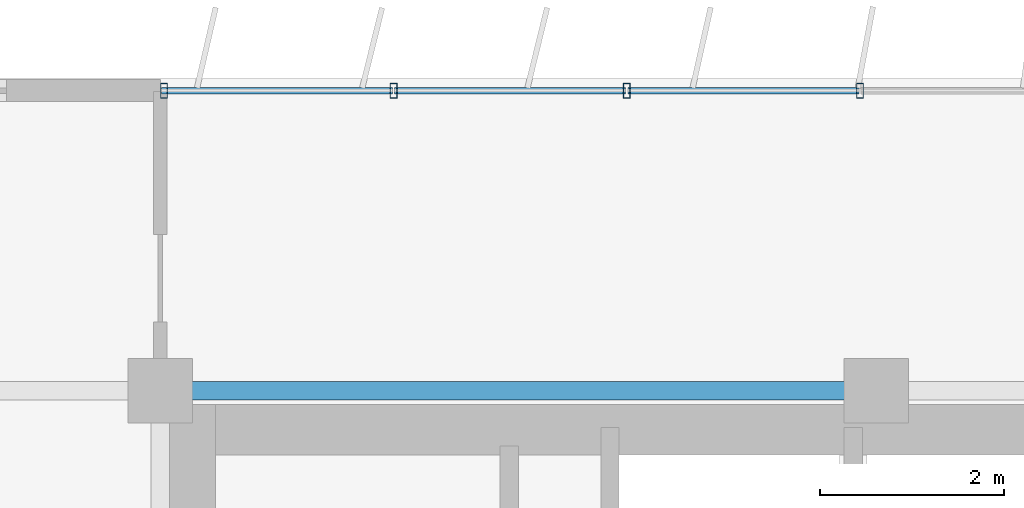
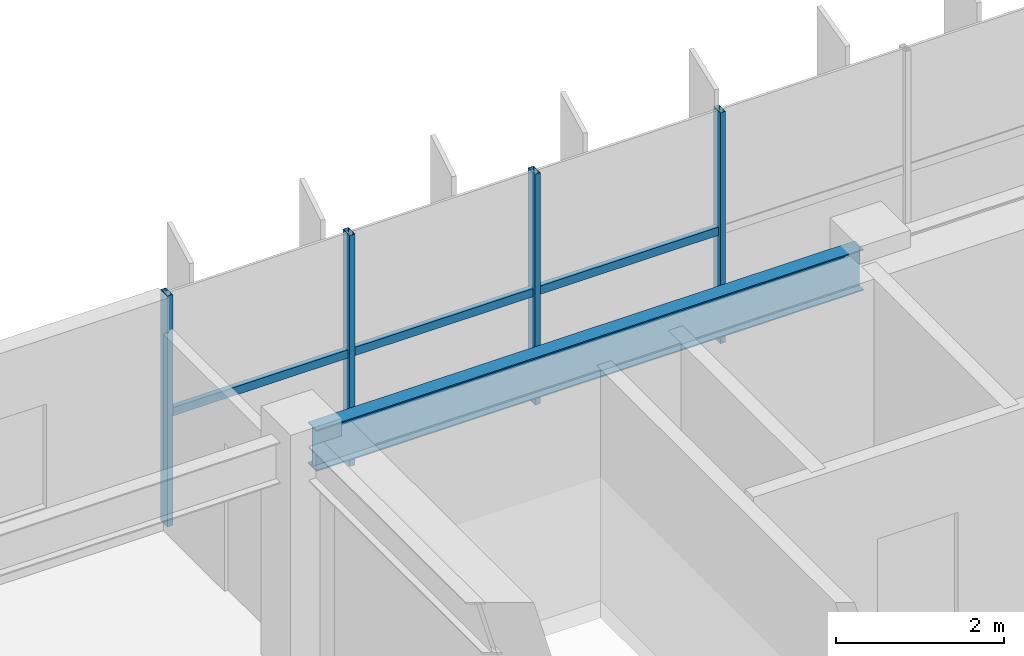
# One storey, part 4 of 20: 7 members, 1 beam, 1 element without a shape of its own.
"""IFC4 building model written with IfcOpenShell, lengths in metres."""

from ifc_helpers import new_model, si_unit, direction, frame, origin, origin_2d, place, context, subcontext, project, spatial, hollow_rectangle, i_section, extrude, source, transform, mapped, material, material_profile, profile_set, type_object, element, aggregate, save


model = new_model("IFC4")

# Units and contexts
model_context = context("Model", 3, precision=1e-05, world=origin(), true_north=direction((0.0, 1.0)))
body_context = subcontext(model_context, "Body", "Model", "MODEL_VIEW")
ifc_project = project(units=[si_unit("LENGTHUNIT", "METRE"), si_unit("AREAUNIT", "SQUARE_METRE"), si_unit("VOLUMEUNIT", "CUBIC_METRE"), si_unit("PLANEANGLEUNIT", "RADIAN"), si_unit("MASSUNIT", "GRAM", prefix="KILO")], contexts=[model_context])

# Site, building, storey
site_placement = place(None, origin())
site = spatial("IfcSite", under=ifc_project, at=site_placement, CompositionType="ELEMENT")
building_placement = place(site_placement, origin())
building = spatial("IfcBuilding", under=site, at=building_placement, Name="Trelvane Seafront Commons", CompositionType="ELEMENT")
storey_placement = place(building_placement, frame((0.0, 0.0, 150.10009765625)))
storey = spatial("IfcBuildingStorey", under=building, at=storey_placement, Name="L39", CompositionType="ELEMENT", Elevation=150.10009765625)

# Beam
ifc_material_1 = material(Name="Steel SM355 (S355)", Category="steel")
ifc_material_profile_1 = material_profile(ifc_material_1, i_section(OverallWidth=0.199951171875, OverallDepth=0.60009765625, WebThickness=0.010986328125, FlangeThickness=0.01708984375, at=origin_2d()), Name="H-600x200x11x17")
ifc_profile_set_1 = profile_set([ifc_material_profile_1], Name="Steel SM355 (S355)")
beam_type = type_object("IfcBeamType", Name="STR-SPD-H600", PredefinedType="SPANDREL", material=ifc_profile_set_1)
shared_shape_1 = source(origin(), body_context, "Body", "SweptSolid", [
    extrude(i_section(OverallWidth=0.199951171875, OverallDepth=0.60009765625, WebThickness=0.010986328125, FlangeThickness=0.01708984375, at=origin_2d()), origin(), (0.0, 0.0, 1.0), 7.5),
])
beam_placement = place(storey_placement, frame((15.75, 45.10009765625, 3.0498046875), z_axis=(1.0, 0.0, 0.0), x_axis=(0.0, 1.0, 0.0)))
element("IfcBeam", 1, at=beam_placement, inside=storey, type_object=beam_type, Name="L39 Primary Girder G-23", PredefinedType="SPANDREL", context=body_context, shape_type="MappedRepresentation", body=[
    mapped(shared_shape_1, transform((0.0, 0.0, 0.0), x_axis=(1.0, 0.0, 0.0), y_axis=(0.0, 1.0, 0.0), z_axis=(0.0, 0.0, 1.0), scale=1.0)),
])

# Curtain wall, members
ifc_material_2 = material(Name="Anodised pale-silver aluminium", Category="aluminium")
curtain_wall_type = type_object("IfcCurtainWallType", Name="ARCH-CW5-UPTOWER", PredefinedType="NOTDEFINED", material=ifc_material_2)
curtain_wall_placement = place(storey_placement, origin())
curtain_wall = element("IfcCurtainWall", 2, at=curtain_wall_placement, inside=storey, type_object=curtain_wall_type, Name="CW-L39-0066", PredefinedType="NOTDEFINED")
ifc_material_profile_2 = material_profile(ifc_material_2, hollow_rectangle(XDim=0.070068359375, YDim=0.1201171875, WallThickness=0.00390625, at=origin_2d()), Name="TRAN-70x120x4")
ifc_profile_set_2 = profile_set([ifc_material_profile_2], Name="Anodised pale-silver aluminium")
member_type_1 = type_object("IfcMemberType", Name="ARCH-CW-TRAN-120", PredefinedType="USERDEFINED", material=ifc_profile_set_2)
shared_shape_2 = source(origin(), body_context, "Body", "SweptSolid", [
    extrude(hollow_rectangle(XDim=0.070068359375, YDim=0.1201171875, WallThickness=0.00390625, at=origin_2d()), origin(), (0.0, 0.0, 1.0), 2.51708984375),
])
member_1_placement = place(storey_placement, frame((15.612060546875, 48.3701171875, 1.60791015625), z_axis=(1.0, 0.0, 0.0), x_axis=(0.0, 1.0, 0.0)))
member_1 = element("IfcMember", 3, at=member_1_placement, type_object=member_type_1, Name="CW-L39-0066-T00", ObjectType="TRANSOM", PredefinedType="USERDEFINED", context=body_context, shape_type="MappedRepresentation", body=[
    mapped(shared_shape_2, transform((0.0, 0.0, 0.0), x_axis=(1.0, 0.0, 0.0), y_axis=(0.0, 1.0, 0.0), z_axis=(0.0, 0.0, 1.0), scale=1.0)),
])
member_2_placement = place(storey_placement, frame((18.1533203125, 48.3701171875, 1.60791015625), z_axis=(1.0, 0.0, 0.0), x_axis=(0.0, 1.0, 0.0)))
member_2 = element("IfcMember", 4, at=member_2_placement, type_object=member_type_1, Name="CW-L39-0066-T01", ObjectType="TRANSOM", PredefinedType="USERDEFINED", context=body_context, shape_type="MappedRepresentation", body=[
    mapped(shared_shape_2, transform((0.0, 0.0, 0.0), x_axis=(1.0, 0.0, 0.0), y_axis=(0.0, 1.0, 0.0), z_axis=(0.0, 0.0, 1.0), scale=1.0)),
])
member_3_placement = place(storey_placement, frame((20.6943359375, 48.3701171875, 1.60791015625), z_axis=(1.0, 0.0, 0.0), x_axis=(0.0, 1.0, 0.0)))
member_3 = element("IfcMember", 5, at=member_3_placement, type_object=member_type_1, Name="CW-L39-0066-T02", ObjectType="TRANSOM", PredefinedType="USERDEFINED", context=body_context, shape_type="MappedRepresentation", body=[
    mapped(shared_shape_2, transform((0.0, 0.0, 0.0), x_axis=(1.0, 0.0, 0.0), y_axis=(0.0, 1.0, 0.0), z_axis=(0.0, 0.0, 1.0), scale=1.0)),
])
ifc_material_profile_3 = material_profile(ifc_material_2, hollow_rectangle(XDim=0.074951171875, YDim=0.159912109375, WallThickness=0.00390625, at=origin_2d()), Name="MULL-75x160x4")
ifc_profile_set_3 = profile_set([ifc_material_profile_3], Name="Anodised pale-silver aluminium")
member_type_2 = type_object("IfcMemberType", Name="ARCH-CW-MULL-160", PredefinedType="MULLION", material=ifc_profile_set_3)
shared_shape_3 = source(origin(), body_context, "Body", "SweptSolid", [
    extrude(hollow_rectangle(XDim=0.074951171875, YDim=0.159912109375, WallThickness=0.00390625, at=origin_2d()), origin(), (0.0, 0.0, 1.0), 3.349853515625),
])
member_4_placement = place(storey_placement, frame((15.639892578125, 48.3701171875, 0.0), z_axis=(0.0, 0.0, 1.0), x_axis=(1.0, 0.0, 0.0)))
member_4 = element("IfcMember", 6, at=member_4_placement, type_object=member_type_2, Name="CW-L39-0066-M00", PredefinedType="MULLION", context=body_context, shape_type="MappedRepresentation", body=[
    mapped(shared_shape_3, transform((0.0, 0.0, 0.0), x_axis=(1.0, 0.0, 0.0), y_axis=(0.0, 1.0, 0.0), z_axis=(0.0, 0.0, 1.0), scale=1.0)),
])
member_5_placement = place(storey_placement, frame((18.14111328125, 48.3701171875, 0.0), z_axis=(0.0, 0.0, 1.0), x_axis=(1.0, 0.0, 0.0)))
member_5 = element("IfcMember", 7, at=member_5_placement, type_object=member_type_2, Name="CW-L39-0066-M01", PredefinedType="MULLION", context=body_context, shape_type="MappedRepresentation", body=[
    mapped(shared_shape_3, transform((0.0, 0.0, 0.0), x_axis=(1.0, 0.0, 0.0), y_axis=(0.0, 1.0, 0.0), z_axis=(0.0, 0.0, 1.0), scale=1.0)),
])
member_6_placement = place(storey_placement, frame((20.682373046875, 48.3701171875, 0.0), z_axis=(0.0, 0.0, 1.0), x_axis=(1.0, 0.0, 0.0)))
member_6 = element("IfcMember", 8, at=member_6_placement, type_object=member_type_2, Name="CW-L39-0066-M02", PredefinedType="MULLION", context=body_context, shape_type="MappedRepresentation", body=[
    mapped(shared_shape_3, transform((0.0, 0.0, 0.0), x_axis=(1.0, 0.0, 0.0), y_axis=(0.0, 1.0, 0.0), z_axis=(0.0, 0.0, 1.0), scale=1.0)),
])
member_7_placement = place(storey_placement, frame((23.223388671875, 48.3701171875, 0.0), z_axis=(0.0, 0.0, 1.0), x_axis=(1.0, 0.0, 0.0)))
member_7 = element("IfcMember", 9, at=member_7_placement, type_object=member_type_2, Name="CW-L39-0066-M03", PredefinedType="MULLION", context=body_context, shape_type="MappedRepresentation", body=[
    mapped(shared_shape_3, transform((0.0, 0.0, 0.0), x_axis=(1.0, 0.0, 0.0), y_axis=(0.0, 1.0, 0.0), z_axis=(0.0, 0.0, 1.0), scale=1.0)),
])
aggregate(curtain_wall, [member_4, member_5, member_6, member_7, member_1, member_2, member_3])

save(model, "model.ifc")
